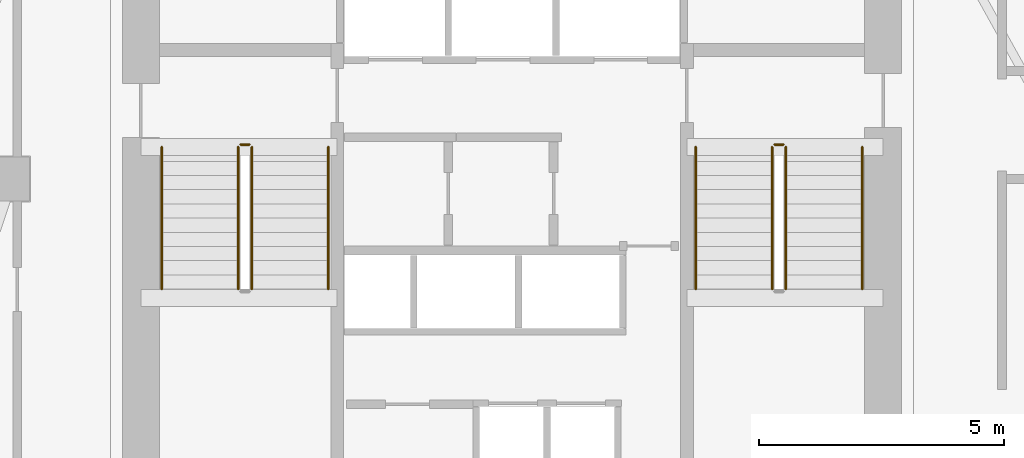
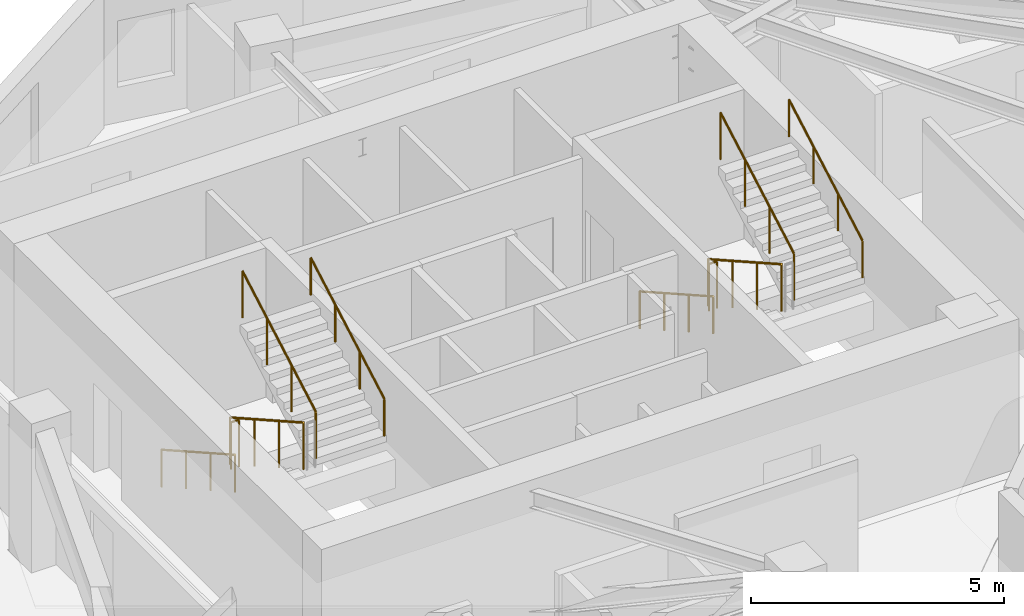
# One storey, part 13 of 14: 10 railings.
"""IFC4 building model written with IfcOpenShell, lengths in metres."""

import ifcopenshell
import ifcopenshell.guid

model = None  # the IFC model being written
_history = None  # IfcOwnerHistory: only IFC2X3 demands one
_inside = {}  # id of a spatial element -> (the spatial element, [elements in it])
_under = {}  # id of a project, library or spatial element -> (it, [spatial elements below it])
_declared = {}  # id of a project -> (the project, [libraries it declares])
_typed = {}  # id of a type object -> (the type object, [elements of that type])
_made_of = {}  # id of a material, layer set ... -> (it, [elements and type objects made of it])


def new_model(schema):
    """Start an empty IFC model of exactly this schema.

    Asked for "IFC4X3", IfcOpenShell would pick the latest addendum, in which some entities
    have other attributes; the version numbers below select the first issue.
    IFC2X3 requires an IfcOwnerHistory on every rooted entity: one is made here for all.
    """
    global model, _history
    if schema == "IFC4X3":
        model = ifcopenshell.file(schema_version=(4, 3, 0, 0))
    else:
        model = ifcopenshell.file(schema=schema)
    _inside.clear()
    _under.clear()
    _declared.clear()
    _typed.clear()
    _made_of.clear()
    _history = None
    if model.schema == "IFC2X3":
        org = make("IfcOrganization", Name="unknown")
        user = make(
            "IfcPersonAndOrganization",
            ThePerson=make("IfcPerson", FamilyName="unknown"),
            TheOrganization=org,
        )
        app = make(
            "IfcApplication",
            ApplicationDeveloper=org,
            Version="unknown",
            ApplicationFullName="unknown",
            ApplicationIdentifier="unknown",
        )
        _history = make(
            "IfcOwnerHistory",
            OwningUser=user,
            OwningApplication=app,
            ChangeAction="ADDED",
            CreationDate=0,
        )
    return model


def make(cls, **values):
    """One entity of the class cls with the attributes given. An attribute that is None is left unset."""
    return model.create_entity(
        cls, **{name: value for name, value in values.items() if value is not None}
    )


def rooted(cls, **values):
    """An entity with a GlobalId (a new one), such as an element, a storey or a relation."""
    return make(cls, GlobalId=ifcopenshell.guid.new(), OwnerHistory=_history, **values)


def si_unit(unit_type, name, prefix=None):
    """IfcSIUnit, for example si_unit("LENGTHUNIT", "METRE", prefix="MILLI")."""
    return make("IfcSIUnit", UnitType=unit_type, Prefix=prefix, Name=name)


def assignment(units):
    """IfcUnitAssignment: the units of a project."""
    return None if units is None else make("IfcUnitAssignment", Units=units)


def point(xyz):
    """IfcCartesianPoint."""
    return None if xyz is None else make("IfcCartesianPoint", Coordinates=xyz)


def direction(xyz):
    """IfcDirection."""
    return None if xyz is None else make("IfcDirection", DirectionRatios=xyz)


def frame(location, z_axis=None, x_axis=None):
    """IfcAxis2Placement3D, a coordinate frame: its origin and axes. An axis left out is left unset."""
    return make(
        "IfcAxis2Placement3D",
        Location=point(location),
        Axis=direction(z_axis),
        RefDirection=direction(x_axis),
    )


def frame_2d(location, x_axis=None):
    """IfcAxis2Placement2D, a coordinate frame in the plane: its origin and x axis."""
    return make(
        "IfcAxis2Placement2D", Location=point(location), RefDirection=direction(x_axis)
    )


def origin():
    """The frame at (0, 0, 0) with its axes left unset."""
    return frame((0.0, 0.0, 0.0))


def origin_2d():
    """The frame at (0, 0) in the plane with its x axis left unset."""
    return frame_2d((0.0, 0.0))


def place(relative_to, where):
    """IfcLocalPlacement: puts the frame where relative to a parent placement (None: the world)."""
    return make(
        "IfcLocalPlacement", PlacementRelTo=relative_to, RelativePlacement=where
    )


def context(
    kind, dimensions, precision=None, world=None, true_north=None, identifier=None
):
    """IfcGeometricRepresentationContext, for example the 3D "Model" context."""
    return make(
        "IfcGeometricRepresentationContext",
        ContextIdentifier=identifier,
        ContextType=kind,
        CoordinateSpaceDimension=dimensions,
        Precision=precision,
        WorldCoordinateSystem=world,
        TrueNorth=true_north,
    )


def subcontext(parent, identifier, kind, view, scale=None):
    """IfcGeometricRepresentationSubContext, for example "Body" below "Model"."""
    return make(
        "IfcGeometricRepresentationSubContext",
        ContextIdentifier=identifier,
        ContextType=kind,
        ParentContext=parent,
        TargetScale=scale,
        TargetView=view,
    )


def project(units=None, contexts=None):
    """IfcProject with its units and contexts."""
    return rooted(
        "IfcProject",
        Name="project",
        RepresentationContexts=contexts,
        UnitsInContext=assignment(units),
    )


def spatial(cls, under=None, at=None, **own):
    """A site, building, storey or space (cls), placed at a placement, below another one or the project."""
    s = rooted(cls, ObjectPlacement=at, **own)
    if under is not None:
        _under.setdefault(under.id(), (under, []))[1].append(s)
    return s


def profile(cls, at=None, kind="AREA", **sizes):
    """A parametric profile (cls). Its sizes go by their IFC names, for example OverallWidth=200.0."""
    return make(cls, ProfileType=kind, Position=at, **sizes)


def circle(**sizes):
    """IfcCircleProfileDef."""
    return profile("IfcCircleProfileDef", **sizes)


def extrude(swept, where, along, depth):
    """IfcExtrudedAreaSolid: the profile swept, set in the frame where, extruded along a direction by depth."""
    return make(
        "IfcExtrudedAreaSolid",
        SweptArea=swept,
        Position=where,
        ExtrudedDirection=direction(along),
        Depth=depth,
    )


def shape(context_of_items, identifier, shape_type, items):
    """IfcShapeRepresentation: the items that make up one representation, for example the "Body"."""
    return make(
        "IfcShapeRepresentation",
        ContextOfItems=context_of_items,
        RepresentationIdentifier=identifier,
        RepresentationType=shape_type,
        Items=items,
    )


def material(Name=None, Category=None):
    """IfcMaterial."""
    return make("IfcMaterial", Name=Name, Category=Category)


def made_of(thing, what):
    """Note that an element or type object is made of a material, layer set ...; save() writes the relation."""
    if what is not None:
        _made_of.setdefault(what.id(), (what, []))[1].append(thing)
    return thing


def type_object(cls, material=None, **own):
    """A type object (cls), such as IfcWallType, which elements share."""
    return made_of(rooted(cls, **own), material)


def element(
    cls,
    number,
    at=None,
    inside=None,
    cuts=None,
    type_object=None,
    material=None,
    context=None,
    identifier="Body",
    shape_type=None,
    held_by="IfcProductDefinitionShape",
    body=None,
    shapes=None,
    **own,
):
    """One element of the class cls, such as IfcWall. Its Tag is "e" and its number.

    at: its placement. inside: the storey or other place that contains it. cuts: it is an
    opening in that element (IfcRelVoidsElement). A single representation is given by context,
    identifier, shape_type and body (its items); several are given by shapes. held_by: the class
    of the entity that holds the representations. save() writes the other relations.
    """
    e = rooted(cls, Tag="e%d" % number, ObjectPlacement=at, **own)
    if body is not None:
        shapes = [shape(context, identifier, shape_type, body)]
    if shapes is not None:
        e.Representation = make(held_by, Representations=shapes)
    if inside is not None:
        _inside.setdefault(inside.id(), (inside, []))[1].append(e)
    if cuts is not None:
        rooted(
            "IfcRelVoidsElement", RelatingBuildingElement=cuts, RelatedOpeningElement=e
        )
    if type_object is not None:
        _typed.setdefault(type_object.id(), (type_object, []))[1].append(e)
    return made_of(e, material)


def aggregate(whole, parts):
    """IfcRelAggregates: a whole, such as a stair, and the parts it consists of."""
    return rooted("IfcRelAggregates", RelatingObject=whole, RelatedObjects=parts)


def save(model, path):
    """Write the relations noted so far, then the file.

    IfcRelAggregates (storeys below a building ...), IfcRelContainedInSpatialStructure (elements
    in a storey), IfcRelDefinesByType, IfcRelAssociatesMaterial and IfcRelDeclares: one each for
    every whole, place, type object, material and project.
    """
    for whole, parts in _under.values():
        aggregate(whole, parts)
    for where, things in _inside.values():
        rooted(
            "IfcRelContainedInSpatialStructure",
            RelatedElements=things,
            RelatingStructure=where,
        )
    for kind, things in _typed.values():
        rooted("IfcRelDefinesByType", RelatedObjects=things, RelatingType=kind)
    for what, things in _made_of.values():
        rooted("IfcRelAssociatesMaterial", RelatedObjects=things, RelatingMaterial=what)
    for by, libraries in _declared.values():
        rooted("IfcRelDeclares", RelatingContext=by, RelatedDefinitions=libraries)
    model.write(path)


model = new_model("IFC4")

# Units and contexts
model_context = context("Model", 3, precision=1e-05, world=origin(), true_north=direction((0.0, 1.0)))
body_context = subcontext(model_context, "Body", "Model", "MODEL_VIEW")
ifc_project = project(units=[si_unit("LENGTHUNIT", "METRE"), si_unit("AREAUNIT", "SQUARE_METRE"), si_unit("VOLUMEUNIT", "CUBIC_METRE"), si_unit("PLANEANGLEUNIT", "RADIAN"), si_unit("MASSUNIT", "GRAM", prefix="KILO")], contexts=[model_context])

# Site, building, storey
site_placement = place(None, origin())
site = spatial("IfcSite", under=ifc_project, at=site_placement, CompositionType="ELEMENT")
building_placement = place(site_placement, origin())
building = spatial("IfcBuilding", under=site, at=building_placement, Name="Calvemar Wedge Station Tower", CompositionType="ELEMENT")
storey_placement = place(building_placement, frame((0.0, 0.0, 125.0)))
storey = spatial("IfcBuildingStorey", under=building, at=storey_placement, Name="L30", CompositionType="ELEMENT", Elevation=125.0)

# Railings
ifc_material_1 = material(Name="Stainless steel AISI 316L", Category="steel")
railing_type_1 = type_object("IfcRailingType", Name="RL-HANDRAIL-920", PredefinedType="HANDRAIL", material=ifc_material_1)
railing_1_placement = place(storey_placement, frame((16.64990234375, 41.14990234375, 0.16357421875)))
element("IfcRailing", 1, at=railing_1_placement, inside=storey, type_object=railing_type_1, Name="L30 ST-C1 stair handrail 1", PredefinedType="HANDRAIL", context=body_context, shape_type="SweptSolid", body=[
    extrude(circle(Radius=0.02392578125, at=origin_2d()), frame((0.0, 0.0, 0.89599609375), z_axis=(0.0, -0.870897200241, 0.491465224214), x_axis=(1.0, 0.0, 0.0)), (0.0, 0.0, 1.0), 3.329833984375),
    extrude(circle(Radius=0.02099609375, at=origin_2d()), origin(), (0.0, 0.0, 1.0), 0.871826171875),
    extrude(circle(Radius=0.02099609375, at=origin_2d()), frame((0.0, -0.966552734375, 0.54541015625)), (0.0, 0.0, 1.0), 0.871826171875),
    extrude(circle(Radius=0.02099609375, at=origin_2d()), frame((0.0, -1.933349609375, 1.091064453125)), (0.0, 0.0, 1.0), 0.871826171875),
    extrude(circle(Radius=0.02099609375, at=origin_2d()), frame((0.0, -2.89990234375, 1.636474609375)), (0.0, 0.0, 1.0), 0.871826171875),
])
railing_2_placement = place(storey_placement, frame((20.050048828125, 38.25, 1.963623046875)))
element("IfcRailing", 2, at=railing_2_placement, inside=storey, type_object=railing_type_1, Name="L30 ST-C1 stair handrail 2", PredefinedType="HANDRAIL", context=body_context, shape_type="SweptSolid", body=[
    extrude(circle(Radius=0.02392578125, at=origin_2d()), frame((0.0, 0.0, 0.89599609375), z_axis=(0.0, 0.870897200241, 0.491465224214), x_axis=(-1.0, 0.0, 0.0)), (0.0, 0.0, 1.0), 3.329833984375),
    extrude(circle(Radius=0.02099609375, at=origin_2d()), origin(), (0.0, 0.0, 1.0), 0.871826171875),
    extrude(circle(Radius=0.02099609375, at=origin_2d()), frame((0.0, 0.966552734375, 0.54541015625)), (0.0, 0.0, 1.0), 0.871826171875),
    extrude(circle(Radius=0.02099609375, at=origin_2d()), frame((0.0, 1.933349609375, 1.091064453125)), (0.0, 0.0, 1.0), 0.871826171875),
    extrude(circle(Radius=0.02099609375, at=origin_2d()), frame((0.0, 2.89990234375, 1.636474609375)), (0.0, 0.0, 1.0), 0.871826171875),
])
railing_3_placement = place(storey_placement, frame((27.550048828125, 41.14990234375, 0.16357421875)))
element("IfcRailing", 3, at=railing_3_placement, inside=storey, type_object=railing_type_1, Name="L30 ST-C2 stair handrail 1", PredefinedType="HANDRAIL", context=body_context, shape_type="SweptSolid", body=[
    extrude(circle(Radius=0.02392578125, at=origin_2d()), frame((0.0, 0.0, 0.89599609375), z_axis=(0.0, -0.870897200241, 0.491465224214), x_axis=(1.0, 0.0, 0.0)), (0.0, 0.0, 1.0), 3.329833984375),
    extrude(circle(Radius=0.02099609375, at=origin_2d()), origin(), (0.0, 0.0, 1.0), 0.871826171875),
    extrude(circle(Radius=0.02099609375, at=origin_2d()), frame((0.0, -0.966552734375, 0.54541015625)), (0.0, 0.0, 1.0), 0.871826171875),
    extrude(circle(Radius=0.02099609375, at=origin_2d()), frame((0.0, -1.933349609375, 1.091064453125)), (0.0, 0.0, 1.0), 0.871826171875),
    extrude(circle(Radius=0.02099609375, at=origin_2d()), frame((0.0, -2.89990234375, 1.636474609375)), (0.0, 0.0, 1.0), 0.871826171875),
])
railing_4_placement = place(storey_placement, frame((30.949951171875, 38.25, 1.963623046875)))
element("IfcRailing", 4, at=railing_4_placement, inside=storey, type_object=railing_type_1, Name="L30 ST-C2 stair handrail 2", PredefinedType="HANDRAIL", context=body_context, shape_type="SweptSolid", body=[
    extrude(circle(Radius=0.02392578125, at=origin_2d()), frame((0.0, 0.0, 0.89599609375), z_axis=(0.0, 0.870897200241, 0.491465224214), x_axis=(-1.0, 0.0, 0.0)), (0.0, 0.0, 1.0), 3.329833984375),
    extrude(circle(Radius=0.02099609375, at=origin_2d()), origin(), (0.0, 0.0, 1.0), 0.871826171875),
    extrude(circle(Radius=0.02099609375, at=origin_2d()), frame((0.0, 0.966552734375, 0.54541015625)), (0.0, 0.0, 1.0), 0.871826171875),
    extrude(circle(Radius=0.02099609375, at=origin_2d()), frame((0.0, 1.933349609375, 1.091064453125)), (0.0, 0.0, 1.0), 0.871826171875),
    extrude(circle(Radius=0.02099609375, at=origin_2d()), frame((0.0, 2.89990234375, 1.636474609375)), (0.0, 0.0, 1.0), 0.871826171875),
])
ifc_material_2 = material(Name="Painted steel guardrail ASTM A500 Grade C", Category="steel")
railing_type_2 = type_object("IfcRailingType", Name="RL-STAIR-GUARD-1150", PredefinedType="GUARDRAIL", material=ifc_material_2)
railing_5_placement = place(storey_placement, frame((18.2099609375, 41.14990234375, 0.16357421875)))
element("IfcRailing", 5, at=railing_5_placement, inside=storey, type_object=railing_type_2, Name="L30 ST-C1 stair guard 1", PredefinedType="GUARDRAIL", context=body_context, shape_type="SweptSolid", body=[
    extrude(circle(Radius=0.02392578125, at=origin_2d()), frame((0.0, 0.0, 1.1259765625), z_axis=(0.0, -0.870897200241, 0.491465224214), x_axis=(1.0, 0.0, 0.0)), (0.0, 0.0, 1.0), 3.329833984375),
    extrude(circle(Radius=0.02099609375, at=origin_2d()), origin(), (0.0, 0.0, 1.0), 1.101806640625),
    extrude(circle(Radius=0.02099609375, at=origin_2d()), frame((0.0, -0.966552734375, 0.54541015625)), (0.0, 0.0, 1.0), 1.101806640625),
    extrude(circle(Radius=0.02099609375, at=origin_2d()), frame((0.0, -1.933349609375, 1.091064453125)), (0.0, 0.0, 1.0), 1.101806640625),
    extrude(circle(Radius=0.02099609375, at=origin_2d()), frame((0.0, -2.89990234375, 1.636474609375)), (0.0, 0.0, 1.0), 1.101806640625),
])
railing_6_placement = place(storey_placement, frame((18.489990234375, 38.25, 1.963623046875)))
element("IfcRailing", 6, at=railing_6_placement, inside=storey, type_object=railing_type_2, Name="L30 ST-C1 stair guard 3", PredefinedType="GUARDRAIL", context=body_context, shape_type="SweptSolid", body=[
    extrude(circle(Radius=0.02392578125, at=origin_2d()), frame((0.0, 0.0, 1.1259765625), z_axis=(0.0, 0.870897200241, 0.491465224214), x_axis=(-1.0, 0.0, 0.0)), (0.0, 0.0, 1.0), 3.329833984375),
    extrude(circle(Radius=0.02099609375, at=origin_2d()), origin(), (0.0, 0.0, 1.0), 1.101806640625),
    extrude(circle(Radius=0.02099609375, at=origin_2d()), frame((0.0, 0.966552734375, 0.54541015625)), (0.0, 0.0, 1.0), 1.101806640625),
    extrude(circle(Radius=0.02099609375, at=origin_2d()), frame((0.0, 1.933349609375, 1.091064453125)), (0.0, 0.0, 1.0), 1.101806640625),
    extrude(circle(Radius=0.02099609375, at=origin_2d()), frame((0.0, 2.89990234375, 1.636474609375)), (0.0, 0.0, 1.0), 1.101806640625),
])
railing_7_placement = place(storey_placement, frame((18.260009765625, 41.199951171875, 0.0)))
element("IfcRailing", 7, at=railing_7_placement, inside=storey, type_object=railing_type_2, Name="L30 ST-C1 stair guard 4", PredefinedType="GUARDRAIL", context=body_context, shape_type="SweptSolid", body=[
    extrude(circle(Radius=0.02392578125, at=origin_2d()), frame((0.0, 0.0, 1.1259765625), z_axis=(1.0, 0.0, 0.0), x_axis=(0.0, 1.0, 0.0)), (0.0, 0.0, 1.0), 0.179931640625),
    extrude(circle(Radius=0.02099609375, at=origin_2d()), origin(), (0.0, 0.0, 1.0), 1.101806640625),
    extrude(circle(Radius=0.02099609375, at=origin_2d()), frame((0.179931640625, 0.0, 0.0)), (0.0, 0.0, 1.0), 1.101806640625),
])
railing_8_placement = place(storey_placement, frame((29.110107421875, 41.14990234375, 0.16357421875)))
element("IfcRailing", 8, at=railing_8_placement, inside=storey, type_object=railing_type_2, Name="L30 ST-C2 stair guard 1", PredefinedType="GUARDRAIL", context=body_context, shape_type="SweptSolid", body=[
    extrude(circle(Radius=0.02392578125, at=origin_2d()), frame((0.0, 0.0, 1.1259765625), z_axis=(0.0, -0.870897200241, 0.491465224214), x_axis=(1.0, 0.0, 0.0)), (0.0, 0.0, 1.0), 3.329833984375),
    extrude(circle(Radius=0.02099609375, at=origin_2d()), origin(), (0.0, 0.0, 1.0), 1.101806640625),
    extrude(circle(Radius=0.02099609375, at=origin_2d()), frame((0.0, -0.966552734375, 0.54541015625)), (0.0, 0.0, 1.0), 1.101806640625),
    extrude(circle(Radius=0.02099609375, at=origin_2d()), frame((0.0, -1.933349609375, 1.091064453125)), (0.0, 0.0, 1.0), 1.101806640625),
    extrude(circle(Radius=0.02099609375, at=origin_2d()), frame((0.0, -2.89990234375, 1.636474609375)), (0.0, 0.0, 1.0), 1.101806640625),
])
railing_9_placement = place(storey_placement, frame((29.389892578125, 38.25, 1.963623046875)))
element("IfcRailing", 9, at=railing_9_placement, inside=storey, type_object=railing_type_2, Name="L30 ST-C2 stair guard 3", PredefinedType="GUARDRAIL", context=body_context, shape_type="SweptSolid", body=[
    extrude(circle(Radius=0.02392578125, at=origin_2d()), frame((0.0, 0.0, 1.1259765625), z_axis=(0.0, 0.870897200241, 0.491465224214), x_axis=(-1.0, 0.0, 0.0)), (0.0, 0.0, 1.0), 3.329833984375),
    extrude(circle(Radius=0.02099609375, at=origin_2d()), origin(), (0.0, 0.0, 1.0), 1.101806640625),
    extrude(circle(Radius=0.02099609375, at=origin_2d()), frame((0.0, 0.966552734375, 0.54541015625)), (0.0, 0.0, 1.0), 1.101806640625),
    extrude(circle(Radius=0.02099609375, at=origin_2d()), frame((0.0, 1.933349609375, 1.091064453125)), (0.0, 0.0, 1.0), 1.101806640625),
    extrude(circle(Radius=0.02099609375, at=origin_2d()), frame((0.0, 2.89990234375, 1.636474609375)), (0.0, 0.0, 1.0), 1.101806640625),
])
railing_10_placement = place(storey_placement, frame((29.159912109375, 41.199951171875, 0.0)))
element("IfcRailing", 10, at=railing_10_placement, inside=storey, type_object=railing_type_2, Name="L30 ST-C2 stair guard 4", PredefinedType="GUARDRAIL", context=body_context, shape_type="SweptSolid", body=[
    extrude(circle(Radius=0.02392578125, at=origin_2d()), frame((0.0, 0.0, 1.1259765625), z_axis=(1.0, 0.0, 0.0), x_axis=(0.0, 1.0, 0.0)), (0.0, 0.0, 1.0), 0.18017578125),
    extrude(circle(Radius=0.02099609375, at=origin_2d()), origin(), (0.0, 0.0, 1.0), 1.101806640625),
    extrude(circle(Radius=0.02099609375, at=origin_2d()), frame((0.18017578125, 0.0, 0.0)), (0.0, 0.0, 1.0), 1.101806640625),
])

save(model, "model.ifc")
